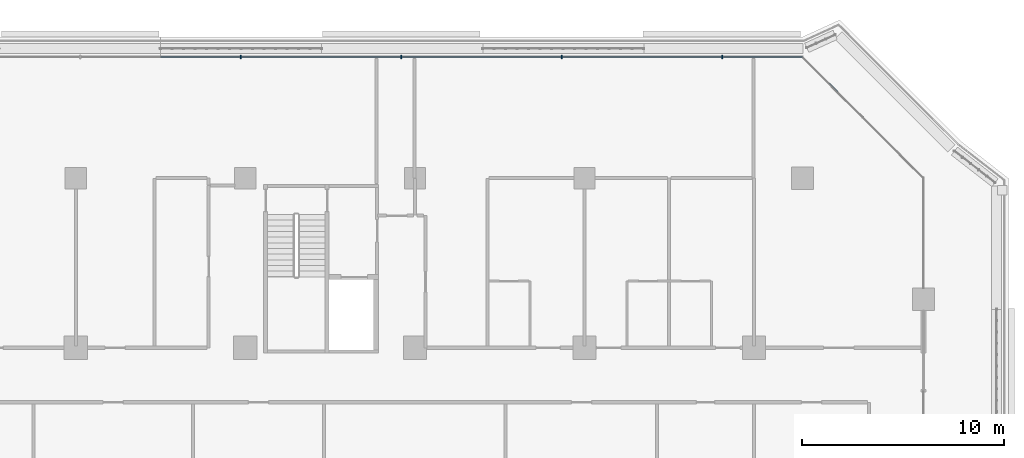
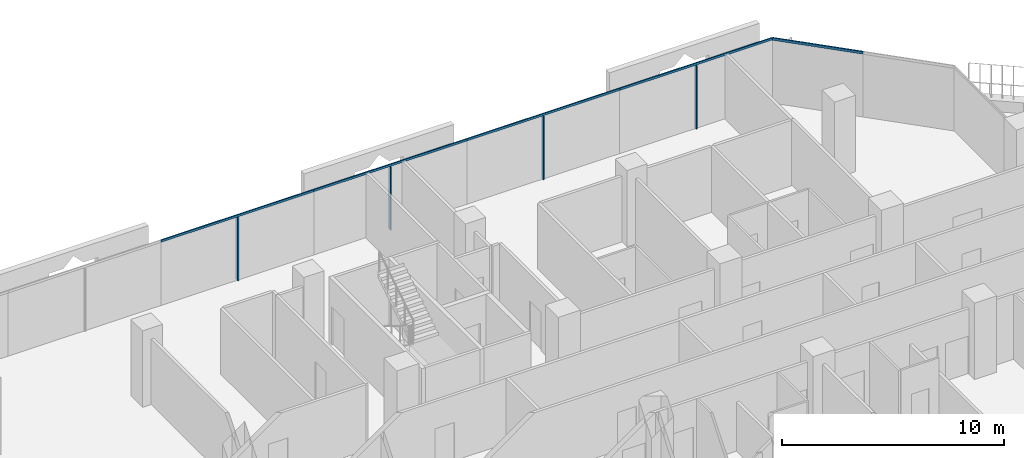
# One storey, part 9 of 25: 9 members, 2 elements without a shape of their own.
"""IFC4 building model written with IfcOpenShell, lengths in metres."""

from ifc_helpers import new_model, si_unit, direction, frame, origin, origin_2d, place, context, subcontext, project, spatial, rectangle, extrude, material, layer, layer_set, material_profile, profile_set, type_object, element, aggregate, save


model = new_model("IFC4")

# Units and contexts
model_context = context("Model", 3, precision=1e-05, world=origin(), true_north=direction((0.0, 1.0)))
body_context = subcontext(model_context, "Body", "Model", "MODEL_VIEW")
ifc_project = project(units=[si_unit("LENGTHUNIT", "METRE"), si_unit("AREAUNIT", "SQUARE_METRE"), si_unit("VOLUMEUNIT", "CUBIC_METRE"), si_unit("PLANEANGLEUNIT", "RADIAN"), si_unit("MASSUNIT", "GRAM", prefix="KILO")], contexts=[model_context])

# Site, building, storey
site_placement = place(None, origin())
site = spatial("IfcSite", under=ifc_project, at=site_placement, CompositionType="ELEMENT")
building_placement = place(site_placement, origin())
building = spatial("IfcBuilding", under=site, at=building_placement, Name="Kawkab Arch Medical Tower", CompositionType="ELEMENT")
storey_placement = place(building_placement, frame((0.0, 0.0, 132.39990234375)))
storey = spatial("IfcBuildingStorey", under=building, at=storey_placement, Name="L30", CompositionType="ELEMENT", Elevation=132.39990234375)

# Curtain wall, members
ifc_material_1 = material(Name="Bronze anodised aluminium curtain wall frame", Category="aluminium")
ifc_layer_1 = layer(ifc_material_1, 0.159912109375)
ifc_layer_set_1 = layer_set([ifc_layer_1], Name="Bronze anodised aluminium curtain wall frame")
curtain_wall_type_1 = type_object("IfcCurtainWallType", Name="CW1 ward curtain wall", PredefinedType="NOTDEFINED", material=ifc_layer_set_1)
placement = place(storey_placement, origin())
curtain_wall_1 = element("IfcCurtainWall", 1, at=placement, inside=storey, type_object=curtain_wall_type_1, Name="CW1 Ward curtain wall R11", PredefinedType="NOTDEFINED")
ifc_material_2 = material(Name="Bronze anodised aluminium curtain wall frame", Category="aluminium")
ifc_material_profile_1 = material_profile(ifc_material_2, rectangle(XDim=0.179931640625, YDim=0.06005859375, at=origin_2d()), Name="AL 60x180")
ifc_profile_set_1 = profile_set([ifc_material_profile_1], Name="Bronze anodised aluminium curtain wall frame")
member_type_1 = type_object("IfcMemberType", Name="CW1 mullion 60 x 180", PredefinedType="MULLION", material=ifc_profile_set_1)
member_1_placement = place(storey_placement, frame((65.625, 6.0, 0.0), z_axis=(0.0, 0.0, 1.0), x_axis=(0.0, -1.0, 0.0)))
member_1 = element("IfcMember", 2, at=member_1_placement, type_object=member_type_1, Name="CW1 mullion 1.1", PredefinedType="MULLION", context=body_context, shape_type="SweptSolid", body=[
    extrude(rectangle(XDim=0.179931640625, YDim=0.06005859375, at=origin_2d()), origin(), (0.0, 0.0, 1.0), 3.47998046875),
])
member_2_placement = place(storey_placement, frame((57.675048828125, 6.0, 0.0), z_axis=(0.0, 0.0, 1.0), x_axis=(0.0, -1.0, 0.0)))
member_2 = element("IfcMember", 3, at=member_2_placement, type_object=member_type_1, Name="CW1 mullion 2.1", PredefinedType="MULLION", context=body_context, shape_type="SweptSolid", body=[
    extrude(rectangle(XDim=0.179931640625, YDim=0.06005859375, at=origin_2d()), origin(), (0.0, 0.0, 1.0), 3.47998046875),
])
member_3_placement = place(storey_placement, frame((49.72509765625, 6.0, 0.0), z_axis=(0.0, 0.0, 1.0), x_axis=(0.0, -1.0, 0.0)))
member_3 = element("IfcMember", 4, at=member_3_placement, type_object=member_type_1, Name="CW1 mullion 3.1", PredefinedType="MULLION", context=body_context, shape_type="SweptSolid", body=[
    extrude(rectangle(XDim=0.179931640625, YDim=0.06005859375, at=origin_2d()), origin(), (0.0, 0.0, 1.0), 3.47998046875),
])
member_4_placement = place(storey_placement, frame((41.77490234375, 6.0, 0.0), z_axis=(0.0, 0.0, 1.0), x_axis=(0.0, -1.0, 0.0)))
member_4 = element("IfcMember", 5, at=member_4_placement, type_object=member_type_1, Name="CW1 mullion 4.1", PredefinedType="MULLION", context=body_context, shape_type="SweptSolid", body=[
    extrude(rectangle(XDim=0.179931640625, YDim=0.06005859375, at=origin_2d()), origin(), (0.0, 0.0, 1.0), 3.47998046875),
])
ifc_material_3 = material(Name="Bronze anodised aluminium curtain wall frame", Category="aluminium")
ifc_material_profile_2 = material_profile(ifc_material_3, rectangle(XDim=0.06005859375, YDim=0.1201171875, at=origin_2d()), Name="AL 60x120")
ifc_profile_set_2 = profile_set([ifc_material_profile_2], Name="Bronze anodised aluminium curtain wall frame")
member_type_2 = type_object("IfcMemberType", Name="CW1 transom 120 x 60", PredefinedType="USERDEFINED", material=ifc_profile_set_2)
member_5_placement = place(storey_placement, frame((69.60009765625, 6.0, 3.5400390625), z_axis=(-1.0, 0.0, 0.0), x_axis=(0.0, -1.0, 0.0)))
member_5 = element("IfcMember", 6, at=member_5_placement, type_object=member_type_2, Name="CW1 transom 1", ObjectType="TRANSOM", PredefinedType="USERDEFINED", context=body_context, shape_type="SweptSolid", body=[
    extrude(rectangle(XDim=0.06005859375, YDim=0.1201171875, at=origin_2d()), origin(), (0.0, 0.0, 1.0), 7.9501953125),
])
member_6_placement = place(storey_placement, frame((61.64990234375, 6.0, 3.5400390625), z_axis=(-1.0, 0.0, 0.0), x_axis=(0.0, -1.0, 0.0)))
member_6 = element("IfcMember", 7, at=member_6_placement, type_object=member_type_2, Name="CW1 transom 2", ObjectType="TRANSOM", PredefinedType="USERDEFINED", context=body_context, shape_type="SweptSolid", body=[
    extrude(rectangle(XDim=0.06005859375, YDim=0.1201171875, at=origin_2d()), origin(), (0.0, 0.0, 1.0), 7.949951171875),
])
member_7_placement = place(storey_placement, frame((53.699951171875, 6.0, 3.5400390625), z_axis=(-1.0, 0.0, 0.0), x_axis=(0.0, -1.0, 0.0)))
member_7 = element("IfcMember", 8, at=member_7_placement, type_object=member_type_2, Name="CW1 transom 3", ObjectType="TRANSOM", PredefinedType="USERDEFINED", context=body_context, shape_type="SweptSolid", body=[
    extrude(rectangle(XDim=0.06005859375, YDim=0.1201171875, at=origin_2d()), origin(), (0.0, 0.0, 1.0), 7.949951171875),
])
member_8_placement = place(storey_placement, frame((45.75, 6.0, 3.5400390625), z_axis=(-1.0, 0.0, 0.0), x_axis=(0.0, -1.0, 0.0)))
member_8 = element("IfcMember", 9, at=member_8_placement, type_object=member_type_2, Name="CW1 transom 4", ObjectType="TRANSOM", PredefinedType="USERDEFINED", context=body_context, shape_type="SweptSolid", body=[
    extrude(rectangle(XDim=0.06005859375, YDim=0.1201171875, at=origin_2d()), origin(), (0.0, 0.0, 1.0), 7.949951171875),
])
aggregate(curtain_wall_1, [member_5, member_1, member_6, member_2, member_7, member_3, member_8, member_4])

# Curtain wall, member
ifc_material_4 = material(Name="Bronze anodised aluminium curtain wall frame", Category="aluminium")
ifc_layer_2 = layer(ifc_material_4, 0.159912109375)
ifc_layer_set_2 = layer_set([ifc_layer_2], Name="Bronze anodised aluminium curtain wall frame")
curtain_wall_type_2 = type_object("IfcCurtainWallType", Name="CW2 chamfer curtain wall", PredefinedType="NOTDEFINED", material=ifc_layer_set_2)
curtain_wall_2 = element("IfcCurtainWall", 10, at=placement, inside=storey, type_object=curtain_wall_type_2, Name="CW2 Chamfer curtain wall R10", PredefinedType="NOTDEFINED")
ifc_material_5 = material(Name="Bronze anodised aluminium curtain wall frame", Category="aluminium")
ifc_material_profile_3 = material_profile(ifc_material_5, rectangle(XDim=0.06005859375, YDim=0.139892578125, at=origin_2d()), Name="AL 60x140")
ifc_profile_set_3 = profile_set([ifc_material_profile_3], Name="Bronze anodised aluminium curtain wall frame")
member_type_3 = type_object("IfcMemberType", Name="CW2 transom 140 x 60", PredefinedType="USERDEFINED", material=ifc_profile_set_3)
member_9_placement = place(storey_placement, frame((72.60009765625, 3.0, 3.530029296875), z_axis=(-0.707106781187, 0.707106781187, 0.0), x_axis=(-0.707106781187, -0.707106781187, 0.0)))
member_9 = element("IfcMember", 11, at=member_9_placement, type_object=member_type_3, Name="CW2 transom 2", ObjectType="TRANSOM", PredefinedType="USERDEFINED", context=body_context, shape_type="SweptSolid", body=[
    extrude(rectangle(XDim=0.06005859375, YDim=0.139892578125, at=origin_2d()), origin(), (0.0, 0.0, 1.0), 4.24267578125),
])
aggregate(curtain_wall_2, [member_9])

save(model, "model.ifc")
